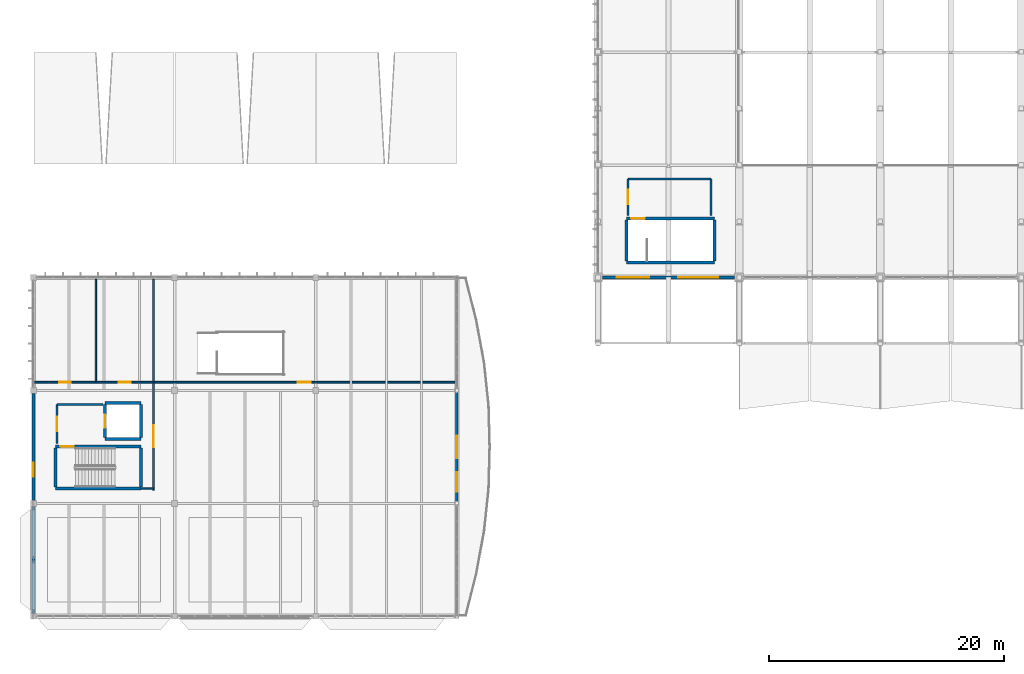
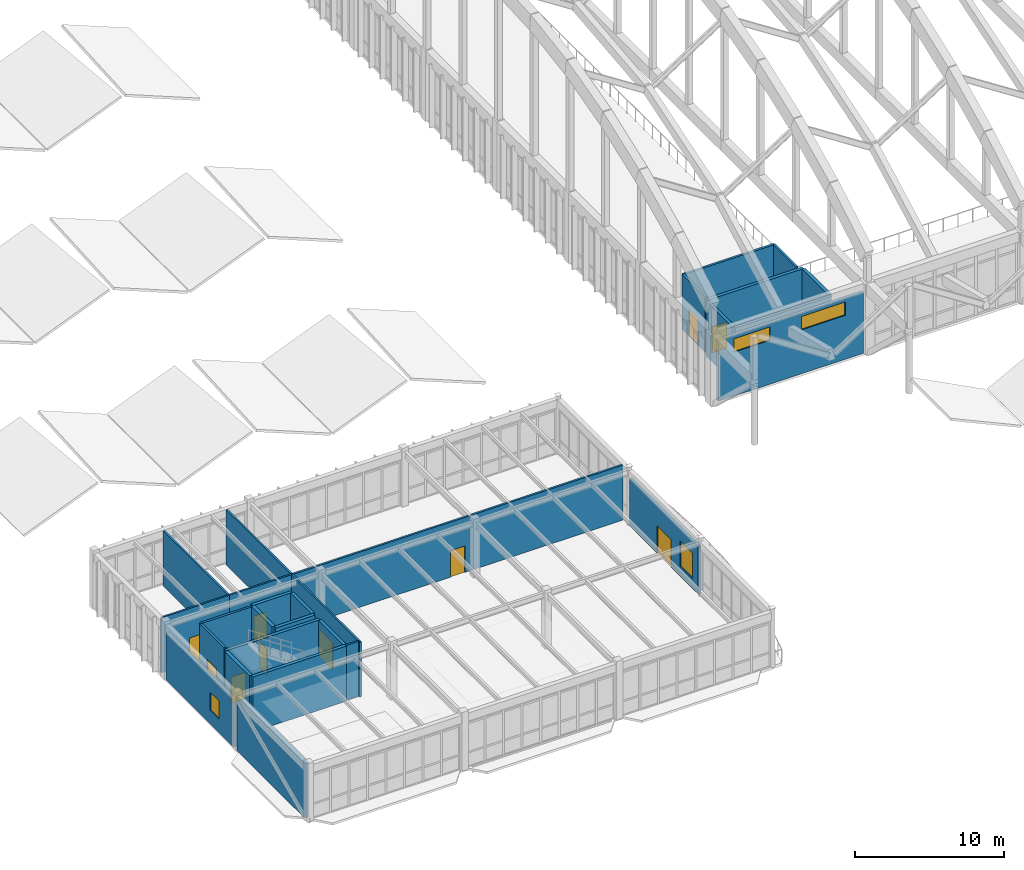
# One storey, part 219 of 236: 28 walls, 10 doors, 4 windows, 14 openings.
"""IFC4 building model written with IfcOpenShell, lengths in metres."""

from ifc_helpers import new_model, si_unit, direction, frame, frame_2d, origin, place, context, subcontext, project, spatial, rectangle, extrude, material, layer, layer_set, type_object, element, fill, save


model = new_model("IFC4")

# Units and contexts
model_context = context("Model", 3, precision=1e-05, world=origin(), true_north=direction((0.0, 1.0)))
body_context = subcontext(model_context, "Body", "Model", "MODEL_VIEW")
ifc_project = project(units=[si_unit("LENGTHUNIT", "METRE"), si_unit("AREAUNIT", "SQUARE_METRE"), si_unit("VOLUMEUNIT", "CUBIC_METRE"), si_unit("PLANEANGLEUNIT", "RADIAN"), si_unit("MASSUNIT", "GRAM", prefix="KILO")], contexts=[model_context])

# Site, building, storey
site_placement = place(None, origin())
site = spatial("IfcSite", under=ifc_project, at=site_placement, CompositionType="ELEMENT")
building_placement = place(site_placement, origin())
building = spatial("IfcBuilding", under=site, at=building_placement, Name="Pandanus Reach Market Hall", CompositionType="ELEMENT")
storey_placement = place(building_placement, frame((0.0, 0.0, 5.39990234375)))
storey = spatial("IfcBuildingStorey", under=building, at=storey_placement, Name="L01", CompositionType="ELEMENT", Elevation=5.39990234375)

# Wall
ifc_material_1 = material(Name="Concrete N40 (40 MPa)", Category="concrete")
ifc_layer_1 = layer(ifc_material_1, 0.25, Name="WL-CORE-250")
ifc_layer_set_1 = layer_set([ifc_layer_1], Name="Concrete N40 (40 MPa)")
wall_type_1 = type_object("IfcWallType", Name="WL-CORE-250", PredefinedType="SHEAR", material=ifc_layer_set_1)
wall_1_placement = place(storey_placement, frame((1.875, 10.875, 0.0), z_axis=(0.0, 0.0, 1.0), x_axis=(1.0, 0.0, 0.0)))
element("IfcWall", 1, at=wall_1_placement, inside=storey, type_object=wall_type_1, Name="Internal wall WL-CORE-250 WL-0340", PredefinedType="SHEAR", context=body_context, shape_type="SweptSolid", body=[
    extrude(rectangle(XDim=7.27001953125, YDim=0.25, at=frame_2d((3.635009765625, 0.0))), origin(), (0.0, 0.0, 1.0), 4.52001953125),
])

# Wall, opening, door
wall_2_placement = place(storey_placement, frame((1.875, 14.425048828125, 0.0), z_axis=(0.0, 0.0, 1.0), x_axis=(1.0, 0.0, 0.0)))
wall_2 = element("IfcWall", 2, at=wall_2_placement, inside=storey, type_object=wall_type_1, Name="Internal wall WL-CORE-250 WL-0341", PredefinedType="SHEAR", context=body_context, shape_type="SweptSolid", body=[
    extrude(rectangle(XDim=7.27001953125, YDim=0.25, at=frame_2d((3.635009765625, 0.0))), origin(), (0.0, 0.0, 1.0), 4.52001953125),
])
opening_1_placement = place(wall_2_placement, frame((0.39990234375, 0.0, 0.0)))
opening_1 = element("IfcOpeningElement", 3, at=opening_1_placement, cuts=wall_2, Name="Opening DR-FD1", PredefinedType="OPENING", context=body_context, shape_type="SweptSolid", body=[
    extrude(rectangle(XDim=1.14990234375, YDim=2.14990234375, at=frame_2d((0.574951171875, 1.074951171875))), frame((0.0, 0.139892578125, 0.0), z_axis=(0.0, -1.0, 0.0), x_axis=(1.0, 0.0, 0.0)), (0.0, 0.0, 1.0), 0.280029296875),
])
ifc_material_2 = material(Name="Fire-rated steel door", Category="steel")
door_type_1 = type_object("IfcDoorType", Name="DR-FD1", OperationType="NOTDEFINED", PredefinedType="DOOR", material=ifc_material_2)
door_1_placement = place(opening_1_placement, frame((1.14990234375, 0.0, 0.0), z_axis=(0.0, 0.0, 1.0), x_axis=(-1.0, 0.0, 0.0)))
door_1 = element("IfcDoor", 4, at=door_1_placement, inside=storey, type_object=door_type_1, Name="Fire stair door ST-04 L01", OperationType="SINGLE_SWING_LEFT", OverallHeight=2.14990234375, OverallWidth=1.14990234375, PredefinedType="DOOR", context=body_context, shape_type="SweptSolid", body=[
    extrude(rectangle(XDim=1.14990234375, YDim=2.14990234375, at=frame_2d((0.574951171875, 1.074951171875))), frame((0.0, 0.02490234375, 0.0), z_axis=(0.0, -1.0, 0.0), x_axis=(1.0, 0.0, 0.0)), (0.0, 0.0, 1.0), 0.050048828125),
])
fill(opening_1, door_1)

# Walls
for number, where, z_axis, x_axis, name in (
    (5, (1.875, 11.0, 0.0), (0.0, 0.0, 1.0), (0.0, 1.0, 0.0), "Internal wall WL-CORE-250 WL-0342"),
    (6, (9.14501953125, 11.0, 0.0), (0.0, 0.0, 1.0), (0.0, 1.0, 0.0), "Internal wall WL-CORE-250 WL-0343"),
):
    element("IfcWall", number, at=place(storey_placement, frame(where, z_axis=z_axis, x_axis=x_axis)), inside=storey, type_object=wall_type_1, Name=name, PredefinedType="SHEAR", context=body_context, shape_type="SweptSolid", body=[
        extrude(rectangle(XDim=3.300048828125, YDim=0.25, at=frame_2d((1.64990234375, 0.0))), origin(), (0.0, 0.0, 1.0), 4.52001953125),
    ])
for number, where, z_axis, x_axis, name in (
    (7, (6.074951171875, 15.074951171875, 0.0), (0.0, 0.0, 1.0), (1.0, 0.0, 0.0), "Internal wall WL-CORE-250 WL-0344"),
    (8, (6.074951171875, 18.125, 0.0), (0.0, 0.0, 1.0), (1.0, 0.0, 0.0), "Internal wall WL-CORE-250 WL-0345"),
):
    element("IfcWall", number, at=place(storey_placement, frame(where, z_axis=z_axis, x_axis=x_axis)), inside=storey, type_object=wall_type_1, Name=name, PredefinedType="SHEAR", context=body_context, shape_type="SweptSolid", body=[
        extrude(rectangle(XDim=3.050048828125, YDim=0.25, at=frame_2d((1.52490234375, 0.0))), origin(), (0.0, 0.0, 1.0), 4.52001953125),
    ])
wall_3_placement = place(storey_placement, frame((9.125, 15.199951171875, 0.0), z_axis=(0.0, 0.0, 1.0), x_axis=(0.0, 1.0, 0.0)))
element("IfcWall", 9, at=wall_3_placement, inside=storey, type_object=wall_type_1, Name="Internal wall WL-CORE-250 WL-0346", PredefinedType="SHEAR", context=body_context, shape_type="SweptSolid", body=[
    extrude(rectangle(XDim=2.800048828125, YDim=0.25, at=frame_2d((1.39990234375, 0.0))), origin(), (0.0, 0.0, 1.0), 4.52001953125),
])

# Wall, opening, door
wall_4_placement = place(storey_placement, frame((6.074951171875, 15.199951171875, 0.0), z_axis=(0.0, 0.0, 1.0), x_axis=(0.0, 1.0, 0.0)))
wall_4 = element("IfcWall", 10, at=wall_4_placement, inside=storey, type_object=wall_type_1, Name="Internal wall WL-CORE-250 WL-0347", PredefinedType="SHEAR", context=body_context, shape_type="SweptSolid", body=[
    extrude(rectangle(XDim=2.800048828125, YDim=0.25, at=frame_2d((1.39990234375, 0.0))), origin(), (0.0, 0.0, 1.0), 4.52001953125),
])
opening_2_placement = place(wall_4_placement, frame((0.85009765625, 0.0, 0.0)))
opening_2 = element("IfcOpeningElement", 11, at=opening_2_placement, cuts=wall_4, Name="Opening LD-01", PredefinedType="OPENING", context=body_context, shape_type="SweptSolid", body=[
    extrude(rectangle(XDim=1.10009765625, YDim=2.14990234375, at=frame_2d((0.550048828125, 1.074951171875))), frame((0.0, 0.139892578125, 0.0), z_axis=(0.0, -1.0, 0.0), x_axis=(1.0, 0.0, 0.0)), (0.0, 0.0, 1.0), 0.280029296875),
])
ifc_material_3 = material(Name="Stainless steel lift landing door", Category="steel")
door_type_2 = type_object("IfcDoorType", Name="LD-01", OperationType="SLIDING_TO_LEFT", PredefinedType="DOOR", material=ifc_material_3)
door_2_placement = place(opening_2_placement, origin())
door_2 = element("IfcDoor", 12, at=door_2_placement, inside=storey, type_object=door_type_2, Name="Lift landing door LF-04 LD-01 60", OperationType="SLIDING_TO_LEFT", OverallHeight=2.14990234375, OverallWidth=1.10009765625, PredefinedType="DOOR", context=body_context, shape_type="SweptSolid", body=[
    extrude(rectangle(XDim=1.10009765625, YDim=2.14990234375, at=frame_2d((0.550048828125, 1.074951171875))), frame((0.0, 0.02490234375, 0.0), z_axis=(0.0, -1.0, 0.0), x_axis=(1.0, 0.0, 0.0)), (0.0, 0.0, 1.0), 0.050048828125),
])
fill(opening_2, door_2)

# Wall
wall_5_placement = place(storey_placement, frame((50.425048828125, 30.074951171875, 0.0), z_axis=(0.0, 0.0, 1.0), x_axis=(1.0, 0.0, 0.0)))
element("IfcWall", 13, at=wall_5_placement, inside=storey, type_object=wall_type_1, Name="Internal wall WL-CORE-250 WL-0427", PredefinedType="SHEAR", context=body_context, shape_type="SweptSolid", body=[
    extrude(rectangle(XDim=7.469970703125, YDim=0.25, at=frame_2d((3.73486328125, 0.0))), origin(), (0.0, 0.0, 1.0), 4.52001953125),
])

# Wall, opening, door
wall_6_placement = place(storey_placement, frame((50.425048828125, 33.824951171875, 0.0), z_axis=(0.0, 0.0, 1.0), x_axis=(1.0, 0.0, 0.0)))
wall_6 = element("IfcWall", 14, at=wall_6_placement, inside=storey, type_object=wall_type_1, Name="Internal wall WL-CORE-250 WL-0428", PredefinedType="SHEAR", context=body_context, shape_type="SweptSolid", body=[
    extrude(rectangle(XDim=7.469970703125, YDim=0.25, at=frame_2d((3.73486328125, 0.0))), origin(), (0.0, 0.0, 1.0), 4.52001953125),
])
opening_3_placement = place(wall_6_placement, frame((0.39990234375, 0.0, 0.0)))
opening_3 = element("IfcOpeningElement", 15, at=opening_3_placement, cuts=wall_6, Name="Opening DR-FD1", PredefinedType="OPENING", context=body_context, shape_type="SweptSolid", body=[
    extrude(rectangle(XDim=1.14990234375, YDim=2.14990234375, at=frame_2d((0.574951171875, 1.074951171875))), frame((0.0, 0.139892578125, 0.0), z_axis=(0.0, -1.0, 0.0), x_axis=(1.0, 0.0, 0.0)), (0.0, 0.0, 1.0), 0.280029296875),
])
door_3_placement = place(opening_3_placement, frame((1.14990234375, 0.0, 0.0), z_axis=(0.0, 0.0, 1.0), x_axis=(-1.0, 0.0, 0.0)))
door_3 = element("IfcDoor", 16, at=door_3_placement, inside=storey, type_object=door_type_1, Name="Fire stair door ST-07 L01", OperationType="SINGLE_SWING_LEFT", OverallHeight=2.14990234375, OverallWidth=1.14990234375, PredefinedType="DOOR", context=body_context, shape_type="SweptSolid", body=[
    extrude(rectangle(XDim=1.14990234375, YDim=2.14990234375, at=frame_2d((0.574951171875, 1.074951171875))), frame((0.0, 0.02490234375, 0.0), z_axis=(0.0, -1.0, 0.0), x_axis=(1.0, 0.0, 0.0)), (0.0, 0.0, 1.0), 0.050048828125),
])
fill(opening_3, door_3)

# Walls
for number, where, z_axis, x_axis, name in (
    (17, (50.425048828125, 30.199951171875, 0.0), (0.0, 0.0, 1.0), (0.0, 1.0, 0.0), "Internal wall WL-CORE-250 WL-0429"),
    (18, (57.89501953125, 30.199951171875, 0.0), (0.0, 0.0, 1.0), (0.0, 1.0, 0.0), "Internal wall WL-CORE-250 WL-0430"),
):
    element("IfcWall", number, at=place(storey_placement, frame(where, z_axis=z_axis, x_axis=x_axis)), inside=storey, type_object=wall_type_1, Name=name, PredefinedType="SHEAR", context=body_context, shape_type="SweptSolid", body=[
        extrude(rectangle(XDim=3.5, YDim=0.25, at=frame_2d((1.75, 0.0))), origin(), (0.0, 0.0, 1.0), 4.52001953125),
    ])

# Wall, openings, door, window
ifc_material_4 = material(Name="Precast concrete S50 (50 MPa)", Category="concrete")
ifc_layer_2 = layer(ifc_material_4, 0.219970703125, Name="WL-EXT-220")
ifc_layer_set_2 = layer_set([ifc_layer_2], Name="Precast concrete S50 (50 MPa)")
wall_type_2 = type_object("IfcWallType", Name="WL-EXT-220", PredefinedType="SOLIDWALL", material=ifc_layer_set_2)
wall_7_placement = place(storey_placement, frame((36.0, 9.77783203125, 0.0), z_axis=(0.0, 0.0, 1.0), x_axis=(0.0, 1.0, 0.0)))
wall_7 = element("IfcWall", 19, at=wall_7_placement, inside=storey, type_object=wall_type_2, Name="External wall WL-EXT-220 WL-0082", PredefinedType="SOLIDWALL", context=body_context, shape_type="SweptSolid", body=[
    extrude(rectangle(XDim=9.244384765625, YDim=0.219970703125, at=frame_2d((4.6220703125, 0.0))), origin(), (0.0, 0.0, 1.0), 3.901123046875),
])
opening_4_placement = place(wall_7_placement, frame((3.672119140625, 0.0, 0.0)))
opening_4 = element("IfcOpeningElement", 20, at=opening_4_placement, cuts=wall_7, Name="Opening TD-190", PredefinedType="OPENING", context=body_context, shape_type="SweptSolid", body=[
    extrude(rectangle(XDim=1.89990234375, YDim=2.25, at=frame_2d((0.949951171875, 1.125))), frame((0.0, 0.125, 0.0), z_axis=(0.0, -1.0, 0.0), x_axis=(1.0, 0.0, 0.0)), (0.0, 0.0, 1.0), 0.25),
])
opening_5_placement = place(wall_7_placement, frame((0.800048828125, 0.0, 0.800048828125)))
opening_5 = element("IfcOpeningElement", 21, at=opening_5_placement, cuts=wall_7, Name="Opening WN-11", PredefinedType="OPENING", context=body_context, shape_type="SweptSolid", body=[
    extrude(rectangle(XDim=1.64990234375, YDim=2.10009765625, at=frame_2d((0.824951171875, 1.050048828125))), frame((0.0, 0.125, 0.0), z_axis=(0.0, -1.0, 0.0), x_axis=(1.0, 0.0, 0.0)), (0.0, 0.0, 1.0), 0.25),
])
ifc_material_5 = material(Name="Bronze anodised aluminium", Category="aluminium")
door_type_3 = type_object("IfcDoorType", Name="TD-190", OperationType="DOUBLE_DOOR_SINGLE_SWING", PredefinedType="DOOR", material=ifc_material_5)
door_4_placement = place(opening_4_placement, frame((1.89990234375, 0.0, 0.0), z_axis=(0.0, 0.0, 1.0), x_axis=(-1.0, 0.0, 0.0)))
door_4 = element("IfcDoor", 22, at=door_4_placement, inside=storey, type_object=door_type_3, Name="Park verandah dining door L01 TD-190 23", OperationType="DOUBLE_DOOR_SINGLE_SWING", OverallHeight=2.25, OverallWidth=1.89990234375, PredefinedType="DOOR", context=body_context, shape_type="SweptSolid", body=[
    extrude(rectangle(XDim=1.89990234375, YDim=2.25, at=frame_2d((0.949951171875, 1.125))), frame((0.0, 0.02490234375, 0.0), z_axis=(0.0, -1.0, 0.0), x_axis=(1.0, 0.0, 0.0)), (0.0, 0.0, 1.0), 0.050048828125),
])
fill(opening_4, door_4)
ifc_material_6 = material(Name="Solar-control double glazing", Category="glass")
window_type_1 = type_object("IfcWindowType", Name="WN-11", PartitioningType="SINGLE_PANEL", PredefinedType="WINDOW", material=ifc_material_6)
window_1_placement = place(opening_5_placement, origin())
window_1 = element("IfcWindow", 23, at=window_1_placement, inside=storey, type_object=window_type_1, Name="Window WN-11 41", OverallHeight=2.10009765625, OverallWidth=1.64990234375, PartitioningType="SINGLE_PANEL", PredefinedType="WINDOW", context=body_context, shape_type="SweptSolid", body=[
    extrude(rectangle(XDim=1.64990234375, YDim=2.10009765625, at=frame_2d((0.824951171875, 1.050048828125))), frame((0.0, 0.030029296875, 0.0), z_axis=(0.0, -1.0, 0.0), x_axis=(1.0, 0.0, 0.0)), (0.0, 0.0, 1.0), 0.06005859375),
])
fill(opening_5, window_1)

# Wall, openings, windows
ifc_layer_3 = layer(ifc_material_4, 0.239990234375, Name="WL-EXT-240")
ifc_layer_set_3 = layer_set([ifc_layer_3], Name="Precast concrete S50 (50 MPa)")
wall_type_3 = type_object("IfcWallType", Name="WL-EXT-240", PredefinedType="SOLIDWALL", material=ifc_layer_set_3)
wall_8_placement = place(storey_placement, frame((48.375, 28.800048828125, 0.0), z_axis=(0.0, 0.0, 1.0), x_axis=(1.0, 0.0, 0.0)))
wall_8 = element("IfcWall", 24, at=wall_8_placement, inside=storey, type_object=wall_type_3, Name="External wall WL-EXT-240 WL-0046", PredefinedType="SOLIDWALL", context=body_context, shape_type="SweptSolid", body=[
    extrude(rectangle(XDim=11.25, YDim=0.239990234375, at=frame_2d((5.625, 0.0))), origin(), (0.0, 0.0, 1.0), 4.99609375),
])
opening_6_placement = place(wall_8_placement, frame((1.199951171875, 0.0, 3.60009765625)))
opening_6 = element("IfcOpeningElement", 25, at=opening_6_placement, cuts=wall_8, Name="Opening LDM-01", PredefinedType="OPENING", context=body_context, shape_type="SweptSolid", body=[
    extrude(rectangle(XDim=2.800048828125, YDim=1.10009765625, at=frame_2d((1.39990234375, 0.550048828125))), frame((0.0, 0.135009765625, 0.0), z_axis=(0.0, -1.0, 0.0), x_axis=(1.0, 0.0, 0.0)), (0.0, 0.0, 1.0), 0.27001953125),
])
opening_7_placement = place(wall_8_placement, frame((6.449951171875, 0.0, 3.60009765625)))
opening_7 = element("IfcOpeningElement", 26, at=opening_7_placement, cuts=wall_8, Name="Opening LDM-02", PredefinedType="OPENING", context=body_context, shape_type="SweptSolid", body=[
    extrude(rectangle(XDim=3.39990234375, YDim=1.10009765625, at=frame_2d((1.699951171875, 0.550048828125))), frame((0.0, 0.135009765625, 0.0), z_axis=(0.0, -1.0, 0.0), x_axis=(1.0, 0.0, 0.0)), (0.0, 0.0, 1.0), 0.27001953125),
])
window_type_2 = type_object("IfcWindowType", Name="LDM-01", PartitioningType="SINGLE_PANEL", PredefinedType="LIGHTDOME", material=ifc_material_6)
window_2_placement = place(opening_6_placement, origin())
window_2 = element("IfcWindow", 27, at=window_2_placement, inside=storey, type_object=window_type_2, Name="Window LDM-01 4", OverallHeight=1.10009765625, OverallWidth=2.800048828125, PartitioningType="SINGLE_PANEL", PredefinedType="LIGHTDOME", context=body_context, shape_type="SweptSolid", body=[
    extrude(rectangle(XDim=2.800048828125, YDim=1.10009765625, at=frame_2d((1.39990234375, 0.550048828125))), frame((0.0, 0.030029296875, 0.0), z_axis=(0.0, -1.0, 0.0), x_axis=(1.0, 0.0, 0.0)), (0.0, 0.0, 1.0), 0.06005859375),
])
fill(opening_6, window_2)
window_type_3 = type_object("IfcWindowType", Name="LDM-02", PartitioningType="SINGLE_PANEL", PredefinedType="LIGHTDOME", material=ifc_material_6)
window_3_placement = place(opening_7_placement, origin())
window_3 = element("IfcWindow", 28, at=window_3_placement, inside=storey, type_object=window_type_3, Name="Window LDM-02 5", OverallHeight=1.10009765625, OverallWidth=3.39990234375, PartitioningType="SINGLE_PANEL", PredefinedType="LIGHTDOME", context=body_context, shape_type="SweptSolid", body=[
    extrude(rectangle(XDim=3.39990234375, YDim=1.10009765625, at=frame_2d((1.699951171875, 0.550048828125))), frame((0.0, 0.030029296875, 0.0), z_axis=(0.0, -1.0, 0.0), x_axis=(1.0, 0.0, 0.0)), (0.0, 0.0, 1.0), 0.06005859375),
])
fill(opening_7, window_3)

# Wall, opening, window
wall_9_placement = place(storey_placement, frame((0.0, 9.85009765625, 0.0), z_axis=(0.0, 0.0, 1.0), x_axis=(0.0, 1.0, 0.0)))
wall_9 = element("IfcWall", 29, at=wall_9_placement, inside=storey, type_object=wall_type_3, Name="External wall WL-EXT-240 WL-0081", PredefinedType="SOLIDWALL", context=body_context, shape_type="SweptSolid", body=[
    extrude(rectangle(XDim=9.099853515625, YDim=0.239990234375, at=frame_2d((4.5498046875, 0.0))), origin(), (0.0, 0.0, 1.0), 3.881103515625),
])
opening_8_placement = place(wall_9_placement, frame((2.0, 0.0, 1.10009765625)))
opening_8 = element("IfcOpeningElement", 30, at=opening_8_placement, cuts=wall_9, Name="Opening WN-15", PredefinedType="OPENING", context=body_context, shape_type="SweptSolid", body=[
    extrude(rectangle(XDim=1.199951171875, YDim=1.5, at=frame_2d((0.60009765625, 0.75))), frame((0.0, 0.135009765625, 0.0), z_axis=(0.0, -1.0, 0.0), x_axis=(1.0, 0.0, 0.0)), (0.0, 0.0, 1.0), 0.27001953125),
])
window_type_4 = type_object("IfcWindowType", Name="WN-15", PartitioningType="SINGLE_PANEL", PredefinedType="WINDOW", material=ifc_material_6)
window_4_placement = place(opening_8_placement, origin())
window_4 = element("IfcWindow", 31, at=window_4_placement, inside=storey, type_object=window_type_4, Name="Window WN-15 40", OverallHeight=1.5, OverallWidth=1.199951171875, PartitioningType="SINGLE_PANEL", PredefinedType="WINDOW", context=body_context, shape_type="SweptSolid", body=[
    extrude(rectangle(XDim=1.199951171875, YDim=1.5, at=frame_2d((0.60009765625, 0.75))), frame((0.0, 0.030029296875, 0.0), z_axis=(0.0, -1.0, 0.0), x_axis=(1.0, 0.0, 0.0)), (0.0, 0.0, 1.0), 0.06005859375),
])
fill(opening_8, window_4)

# Wall
ifc_layer_4 = layer(ifc_material_4, 0.280029296875, Name="WL-EXT-280")
ifc_layer_set_4 = layer_set([ifc_layer_4], Name="Precast concrete S50 (50 MPa)")
wall_type_4 = type_object("IfcWallType", Name="WL-EXT-280", PredefinedType="SOLIDWALL", material=ifc_layer_set_4)
wall_10_placement = place(storey_placement, frame((0.0, 0.25, 0.0), z_axis=(0.0, 0.0, 1.0), x_axis=(0.0, 1.0, 0.0)))
element("IfcWall", 32, at=wall_10_placement, inside=storey, type_object=wall_type_4, Name="External wall WL-EXT-280 WL-0080", PredefinedType="SOLIDWALL", context=body_context, shape_type="SweptSolid", body=[
    extrude(rectangle(XDim=9.10009765625, YDim=0.280029296875, at=frame_2d((4.550048828125, 0.0))), origin(), (0.0, 0.0, 1.0), 4.5),
])

# Wall, opening, door
ifc_layer_5 = layer(ifc_material_1, 0.175048828125, Name="WL-LOB-175")
ifc_layer_set_5 = layer_set([ifc_layer_5], Name="Concrete N40 (40 MPa)")
wall_type_5 = type_object("IfcWallType", Name="WL-LOB-175", PredefinedType="PARTITIONING", material=ifc_layer_set_5)
wall_11_placement = place(storey_placement, frame((2.0, 14.699951171875, 0.0), z_axis=(0.0, 0.0, 1.0), x_axis=(0.0, 1.0, 0.0)))
wall_11 = element("IfcWall", 33, at=wall_11_placement, inside=storey, type_object=wall_type_5, Name="Internal wall WL-LOB-175 WL-0348", PredefinedType="PARTITIONING", context=body_context, shape_type="SweptSolid", body=[
    extrude(rectangle(XDim=3.300048828125, YDim=0.175048828125, at=frame_2d((1.64990234375, 0.0))), origin(), (0.0, 0.0, 1.0), 4.52001953125),
])
opening_9_placement = place(wall_11_placement, frame((1.02490234375, 0.0, 0.0)))
opening_9 = element("IfcOpeningElement", 34, at=opening_9_placement, cuts=wall_11, Name="Opening DR-FD2", PredefinedType="OPENING", context=body_context, shape_type="SweptSolid", body=[
    extrude(rectangle(XDim=1.25, YDim=2.199951171875, at=frame_2d((0.625, 1.10009765625))), frame((0.0, 0.1025390625, 0.0), z_axis=(0.0, -1.0, 0.0), x_axis=(1.0, 0.0, 0.0)), (0.0, 0.0, 1.0), 0.205078125),
])
door_type_4 = type_object("IfcDoorType", Name="DR-FD2", OperationType="NOTDEFINED", PredefinedType="DOOR", material=ifc_material_2)
door_5_placement = place(opening_9_placement, frame((1.25, 0.0, 0.0), z_axis=(0.0, 0.0, 1.0), x_axis=(-1.0, 0.0, 0.0)))
door_5 = element("IfcDoor", 35, at=door_5_placement, inside=storey, type_object=door_type_4, Name="Core C4 lobby fire door DR-FD2 61", OperationType="SINGLE_SWING_RIGHT", OverallHeight=2.199951171875, OverallWidth=1.25, PredefinedType="DOOR", context=body_context, shape_type="SweptSolid", body=[
    extrude(rectangle(XDim=1.25, YDim=2.199951171875, at=frame_2d((0.625, 1.10009765625))), frame((0.0, 0.02490234375, 0.0), z_axis=(0.0, -1.0, 0.0), x_axis=(1.0, 0.0, 0.0)), (0.0, 0.0, 1.0), 0.050048828125),
])
fill(opening_9, door_5)

# Wall
wall_12_placement = place(storey_placement, frame((2.0, 18.0, 0.0), z_axis=(0.0, 0.0, 1.0), x_axis=(1.0, 0.0, 0.0)))
element("IfcWall", 36, at=wall_12_placement, inside=storey, type_object=wall_type_5, Name="Internal wall WL-LOB-175 WL-0349", PredefinedType="PARTITIONING", context=body_context, shape_type="SweptSolid", body=[
    extrude(rectangle(XDim=3.89990234375, YDim=0.175048828125, at=frame_2d((1.949951171875, 0.0))), origin(), (0.0, 0.0, 1.0), 4.52001953125),
])

# Wall, opening, door
wall_13_placement = place(storey_placement, frame((50.550048828125, 34.10009765625, 0.0), z_axis=(0.0, 0.0, 1.0), x_axis=(0.0, 1.0, 0.0)))
wall_13 = element("IfcWall", 37, at=wall_13_placement, inside=storey, type_object=wall_type_5, Name="Internal wall WL-LOB-175 WL-0431", PredefinedType="PARTITIONING", context=body_context, shape_type="SweptSolid", body=[
    extrude(rectangle(XDim=3.099853515625, YDim=0.175048828125, at=frame_2d((1.5498046875, 0.0))), origin(), (0.0, 0.0, 1.0), 4.52001953125),
])
opening_10_placement = place(wall_13_placement, frame((0.925048828125, 0.0, 0.0)))
opening_10 = element("IfcOpeningElement", 38, at=opening_10_placement, cuts=wall_13, Name="Opening DR-FD2", PredefinedType="OPENING", context=body_context, shape_type="SweptSolid", body=[
    extrude(rectangle(XDim=1.25, YDim=2.199951171875, at=frame_2d((0.625, 1.10009765625))), frame((0.0, 0.1025390625, 0.0), z_axis=(0.0, -1.0, 0.0), x_axis=(1.0, 0.0, 0.0)), (0.0, 0.0, 1.0), 0.205078125),
])
door_6_placement = place(opening_10_placement, frame((1.25, 0.0, 0.0), z_axis=(0.0, 0.0, 1.0), x_axis=(-1.0, 0.0, 0.0)))
door_6 = element("IfcDoor", 39, at=door_6_placement, inside=storey, type_object=door_type_4, Name="Core C7 lobby fire door DR-FD2 86", OperationType="SINGLE_SWING_LEFT", OverallHeight=2.199951171875, OverallWidth=1.25, PredefinedType="DOOR", context=body_context, shape_type="SweptSolid", body=[
    extrude(rectangle(XDim=1.25, YDim=2.199951171875, at=frame_2d((0.625, 1.10009765625))), frame((0.0, 0.02490234375, 0.0), z_axis=(0.0, -1.0, 0.0), x_axis=(1.0, 0.0, 0.0)), (0.0, 0.0, 1.0), 0.050048828125),
])
fill(opening_10, door_6)

# Walls
wall_14_placement = place(storey_placement, frame((50.550048828125, 37.199951171875, 0.0), z_axis=(0.0, 0.0, 1.0), x_axis=(1.0, 0.0, 0.0)))
element("IfcWall", 40, at=wall_14_placement, inside=storey, type_object=wall_type_5, Name="Internal wall WL-LOB-175 WL-0432", PredefinedType="PARTITIONING", context=body_context, shape_type="SweptSolid", body=[
    extrude(rectangle(XDim=7.050048828125, YDim=0.175048828125, at=frame_2d((3.52490234375, 0.0))), origin(), (0.0, 0.0, 1.0), 4.52001953125),
])
wall_15_placement = place(storey_placement, frame((57.60009765625, 34.10009765625, 0.0), z_axis=(0.0, 0.0, 1.0), x_axis=(0.0, 1.0, 0.0)))
element("IfcWall", 41, at=wall_15_placement, inside=storey, type_object=wall_type_5, Name="Internal wall WL-LOB-175 WL-0433", PredefinedType="PARTITIONING", context=body_context, shape_type="SweptSolid", body=[
    extrude(rectangle(XDim=3.099853515625, YDim=0.175048828125, at=frame_2d((1.5498046875, 0.0))), origin(), (0.0, 0.0, 1.0), 4.52001953125),
])
ifc_material_7 = material(Name="Moisture-resistant plasterboard partition", Category="gypsum")
ifc_layer_6 = layer(ifc_material_7, 0.135009765625, Name="WL-PRT-135")
ifc_layer_set_6 = layer_set([ifc_layer_6], Name="Moisture-resistant plasterboard partition")
wall_type_6 = type_object("IfcWallType", Name="WL-PRT-135", PredefinedType="PARTITIONING", material=ifc_layer_set_6)
wall_16_placement = place(storey_placement, frame((9.139892578125, 10.875, 0.0), z_axis=(0.0, 0.0, 1.0), x_axis=(1.0, 0.0, 0.0)))
element("IfcWall", 42, at=wall_16_placement, inside=storey, type_object=wall_type_6, Name="Internal wall WL-PRT-135 WL-0512", PredefinedType="PARTITIONING", context=body_context, shape_type="SweptSolid", body=[
    extrude(rectangle(XDim=1.06005859375, YDim=0.135009765625, at=frame_2d((0.530029296875, 0.0))), origin(), (0.0, 0.0, 1.0), 4.52001953125),
])

# Wall, opening, door
wall_17_placement = place(storey_placement, frame((10.199951171875, 10.699951171875, 0.0), z_axis=(0.0, 0.0, 1.0), x_axis=(0.0, 1.0, 0.0)))
wall_17 = element("IfcWall", 43, at=wall_17_placement, inside=storey, type_object=wall_type_6, Name="Internal wall WL-PRT-135 WL-0513", PredefinedType="PARTITIONING", context=body_context, shape_type="SweptSolid", body=[
    extrude(rectangle(XDim=9.199951171875, YDim=0.135009765625, at=frame_2d((4.60009765625, 0.0))), origin(), (0.0, 0.0, 1.0), 4.52001953125),
])
opening_11_placement = place(wall_17_placement, frame((3.675048828125, 0.0, 0.0)))
opening_11 = element("IfcOpeningElement", 44, at=opening_11_placement, cuts=wall_17, Name="Opening DR-I18", PredefinedType="OPENING", context=body_context, shape_type="SweptSolid", body=[
    extrude(rectangle(XDim=1.85009765625, YDim=2.199951171875, at=frame_2d((0.925048828125, 1.10009765625))), frame((0.0, 0.08251953125, 0.0), z_axis=(0.0, -1.0, 0.0), x_axis=(1.0, 0.0, 0.0)), (0.0, 0.0, 1.0), 0.1650390625),
])
ifc_material_8 = material(Name="Double market gallery swing door")
door_type_5 = type_object("IfcDoorType", Name="DR-I18", OperationType="DOUBLE_DOOR_SINGLE_SWING", PredefinedType="DOOR", material=ifc_material_8)
door_7_placement = place(opening_11_placement, origin())
door_7 = element("IfcDoor", 45, at=door_7_placement, inside=storey, type_object=door_type_5, Name="Food court dining foyer door DR-I18 132", OperationType="DOUBLE_DOOR_SINGLE_SWING", OverallHeight=2.199951171875, OverallWidth=1.85009765625, PredefinedType="DOOR", context=body_context, shape_type="SweptSolid", body=[
    extrude(rectangle(XDim=1.85009765625, YDim=2.199951171875, at=frame_2d((0.925048828125, 1.10009765625))), frame((0.0, 0.02490234375, 0.0), z_axis=(0.0, -1.0, 0.0), x_axis=(1.0, 0.0, 0.0)), (0.0, 0.0, 1.0), 0.050048828125),
])
fill(opening_11, door_7)

# Walls
for number, where, z_axis, x_axis, name in (
    (46, (5.300048828125, 19.89990234375, 0.0), (0.0, 0.0, 1.0), (0.0, 1.0, 0.0), "Internal wall WL-PRT-135 WL-0515"),
    (47, (10.199951171875, 19.89990234375, 0.0), (0.0, 0.0, 1.0), (0.0, 1.0, 0.0), "Internal wall WL-PRT-135 WL-0516"),
):
    element("IfcWall", number, at=place(storey_placement, frame(where, z_axis=z_axis, x_axis=x_axis)), inside=storey, type_object=wall_type_6, Name=name, PredefinedType="PARTITIONING", context=body_context, shape_type="SweptSolid", body=[
        extrude(rectangle(XDim=8.75, YDim=0.135009765625, at=frame_2d((4.375, 0.0))), origin(), (0.0, 0.0, 1.0), 4.52001953125),
    ])

# Wall, opening, door
wall_18_placement = place(storey_placement, frame((0.0400390625, 19.89990234375, 0.0), z_axis=(0.0, 0.0, 1.0), x_axis=(1.0, 0.0, 0.0)))
wall_18 = element("IfcWall", 48, at=wall_18_placement, inside=storey, type_object=wall_type_6, Name="Internal wall WL-PRT-135 WL-0517", PredefinedType="PARTITIONING", context=body_context, shape_type="SweptSolid", body=[
    extrude(rectangle(XDim=5.260009765625, YDim=0.135009765625, at=frame_2d((2.6298828125, 0.0))), origin(), (0.0, 0.0, 1.0), 4.52001953125),
])
opening_12_placement = place(wall_18_placement, frame((2.155029296875, 0.0, 0.0)))
opening_12 = element("IfcOpeningElement", 49, at=opening_12_placement, cuts=wall_18, Name="Opening DR-I09", PredefinedType="OPENING", context=body_context, shape_type="SweptSolid", body=[
    extrude(rectangle(XDim=0.949951171875, YDim=2.10009765625, at=frame_2d((0.47509765625, 1.050048828125))), frame((0.0, 0.08251953125, 0.0), z_axis=(0.0, -1.0, 0.0), x_axis=(1.0, 0.0, 0.0)), (0.0, 0.0, 1.0), 0.1650390625),
])
ifc_material_9 = material(Name="Solid-core hardwood timber door", Category="wood")
door_type_6 = type_object("IfcDoorType", Name="DR-I09", OperationType="NOTDEFINED", PredefinedType="DOOR", material=ifc_material_9)
door_8_placement = place(opening_12_placement, origin())
door_8 = element("IfcDoor", 50, at=door_8_placement, inside=storey, type_object=door_type_6, Name="Food court WC door DR-I09 134", OperationType="SINGLE_SWING_LEFT", OverallHeight=2.10009765625, OverallWidth=0.949951171875, PredefinedType="DOOR", context=body_context, shape_type="SweptSolid", body=[
    extrude(rectangle(XDim=0.949951171875, YDim=2.10009765625, at=frame_2d((0.47509765625, 1.050048828125))), frame((0.0, 0.02490234375, 0.0), z_axis=(0.0, -1.0, 0.0), x_axis=(1.0, 0.0, 0.0)), (0.0, 0.0, 1.0), 0.050048828125),
])
fill(opening_12, door_8)

wall_19_placement = place(storey_placement, frame((5.300048828125, 19.89990234375, 0.0), z_axis=(0.0, 0.0, 1.0), x_axis=(1.0, 0.0, 0.0)))
wall_19 = element("IfcWall", 51, at=wall_19_placement, inside=storey, type_object=wall_type_6, Name="Internal wall WL-PRT-135 WL-0518", PredefinedType="PARTITIONING", context=body_context, shape_type="SweptSolid", body=[
    extrude(rectangle(XDim=4.89990234375, YDim=0.135009765625, at=frame_2d((2.449951171875, 0.0))), origin(), (0.0, 0.0, 1.0), 4.52001953125),
])
opening_13_placement = place(wall_19_placement, frame((1.949951171875, 0.0, 0.0)))
opening_13 = element("IfcOpeningElement", 52, at=opening_13_placement, cuts=wall_19, Name="Opening DR-I10", PredefinedType="OPENING", context=body_context, shape_type="SweptSolid", body=[
    extrude(rectangle(XDim=1.0, YDim=2.10009765625, at=frame_2d((0.5, 1.050048828125))), frame((0.0, 0.08251953125, 0.0), z_axis=(0.0, -1.0, 0.0), x_axis=(1.0, 0.0, 0.0)), (0.0, 0.0, 1.0), 0.1650390625),
])
ifc_material_10 = material(Name="Accessible unisex WC timber door", Category="wood")
door_type_7 = type_object("IfcDoorType", Name="DR-I10", OperationType="NOTDEFINED", PredefinedType="DOOR", material=ifc_material_10)
door_9_placement = place(opening_13_placement, origin())
door_9 = element("IfcDoor", 53, at=door_9_placement, inside=storey, type_object=door_type_7, Name="Food court accessible WC door DR-I10 135", OperationType="SINGLE_SWING_RIGHT", OverallHeight=2.10009765625, OverallWidth=1.0, PredefinedType="DOOR", context=body_context, shape_type="SweptSolid", body=[
    extrude(rectangle(XDim=1.0, YDim=2.10009765625, at=frame_2d((0.5, 1.050048828125))), frame((0.0, 0.02490234375, 0.0), z_axis=(0.0, -1.0, 0.0), x_axis=(1.0, 0.0, 0.0)), (0.0, 0.0, 1.0), 0.050048828125),
])
fill(opening_13, door_9)

ifc_material_11 = material(Name="Acoustic plasterboard on steel framing", Category="steel")
ifc_layer_7 = layer(ifc_material_11, 0.14990234375, Name="WL-PRT-150")
ifc_layer_set_7 = layer_set([ifc_layer_7], Name="Acoustic plasterboard on steel framing")
wall_type_7 = type_object("IfcWallType", Name="WL-PRT-150", PredefinedType="PARTITIONING", material=ifc_layer_set_7)
wall_20_placement = place(storey_placement, frame((10.199951171875, 19.89990234375, 0.0), z_axis=(0.0, 0.0, 1.0), x_axis=(1.0, 0.0, 0.0)))
wall_20 = element("IfcWall", 54, at=wall_20_placement, inside=storey, type_object=wall_type_7, Name="Internal wall WL-PRT-150 WL-0514", PredefinedType="PARTITIONING", context=body_context, shape_type="SweptSolid", body=[
    extrude(rectangle(XDim=25.650146484375, YDim=0.14990234375, at=frame_2d((12.8251953125, 0.0))), origin(), (0.0, 0.0, 1.0), 4.52001953125),
])
opening_14_placement = place(wall_20_placement, frame((12.264892578125, 0.0, 0.0)))
opening_14 = element("IfcOpeningElement", 55, at=opening_14_placement, cuts=wall_20, Name="Opening DR-I11", PredefinedType="OPENING", context=body_context, shape_type="SweptSolid", body=[
    extrude(rectangle(XDim=1.1201171875, YDim=2.179931640625, at=frame_2d((0.56005859375, 1.08984375))), frame((0.0, 0.08984375, 0.0), z_axis=(0.0, -1.0, 0.0), x_axis=(1.0, 0.0, 0.0)), (0.0, 0.0, 1.0), 0.179931640625),
])
ifc_material_12 = material(Name="Commercial kitchen hygienic door")
door_type_8 = type_object("IfcDoorType", Name="DR-I11", OperationType="NOTDEFINED", PredefinedType="DOOR", material=ifc_material_12)
door_10_placement = place(opening_14_placement, origin())
door_10 = element("IfcDoor", 56, at=door_10_placement, inside=storey, type_object=door_type_8, Name="Food court kitchen pass door DR-I11 133", OperationType="SINGLE_SWING_RIGHT", OverallHeight=2.179931640625, OverallWidth=1.1201171875, PredefinedType="DOOR", context=body_context, shape_type="SweptSolid", body=[
    extrude(rectangle(XDim=1.1201171875, YDim=2.179931640625, at=frame_2d((0.56005859375, 1.08984375))), frame((0.0, 0.02490234375, 0.0), z_axis=(0.0, -1.0, 0.0), x_axis=(1.0, 0.0, 0.0)), (0.0, 0.0, 1.0), 0.050048828125),
])
fill(opening_14, door_10)

save(model, "model.ifc")
